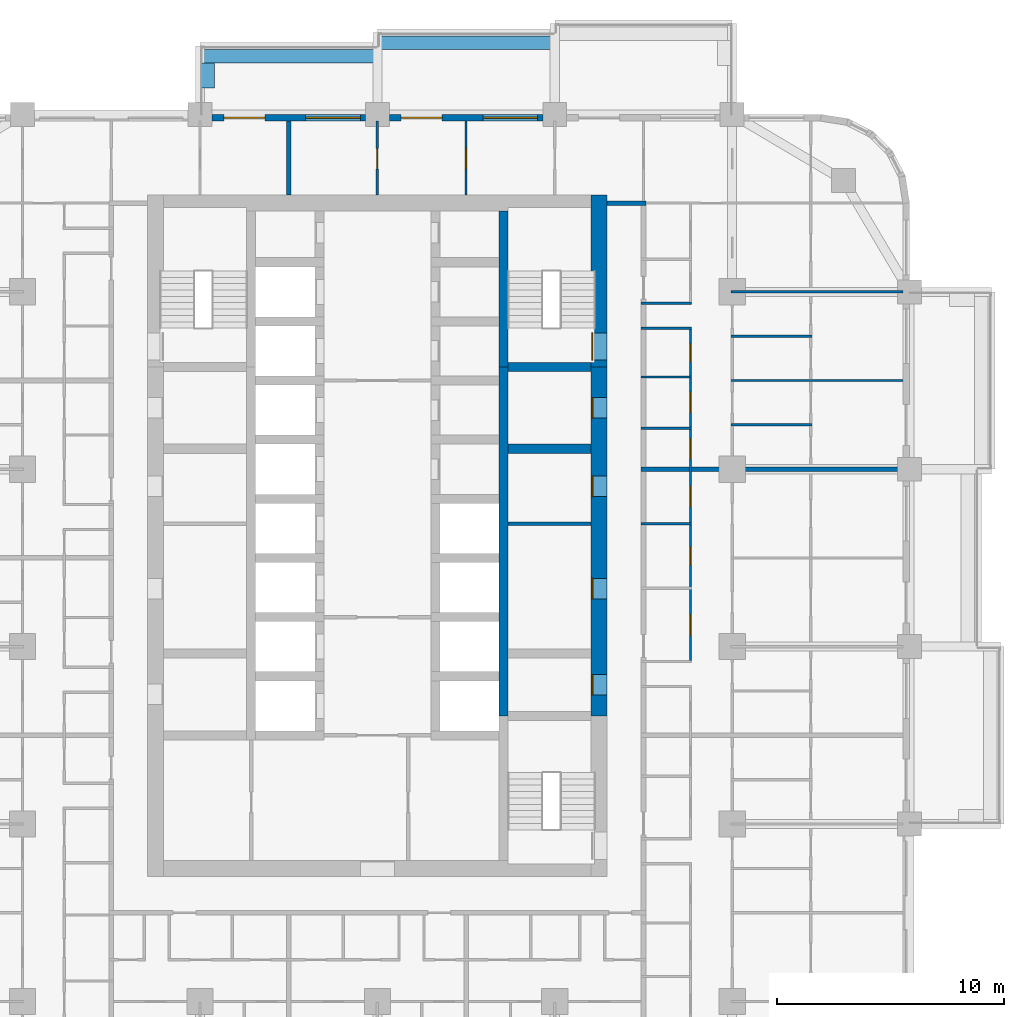
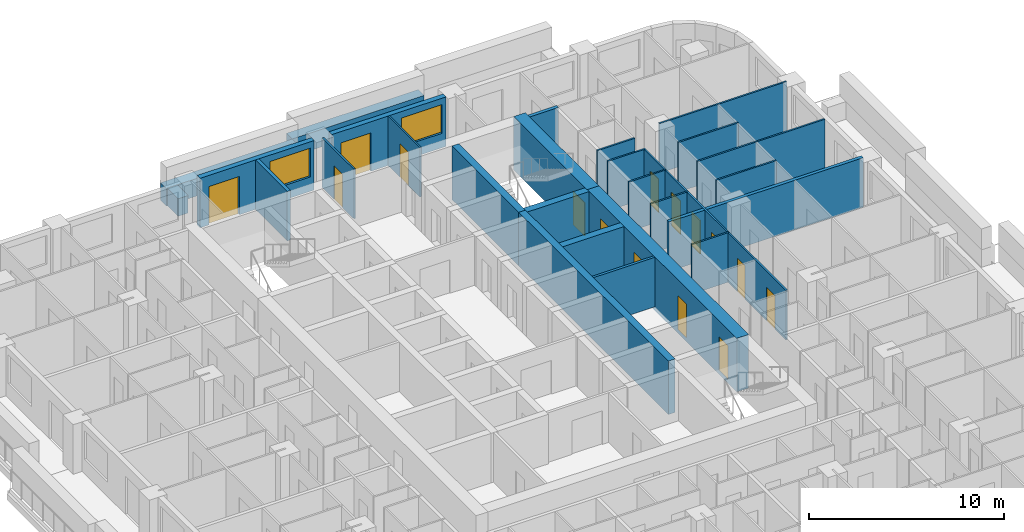
# One storey, part 12 of 17: 27 walls, 15 doors, 2 windows, 17 openings.
"""IFC4 building model written with IfcOpenShell, lengths in metres."""

from ifc_helpers import new_model, si_unit, direction, frame, frame_2d, origin, place, context, subcontext, project, spatial, rectangle, extrude, material, layer, layer_set, type_object, element, fill, save


model = new_model("IFC4")

# Units and contexts
model_context = context("Model", 3, precision=1e-05, world=origin(), true_north=direction((0.0, 1.0)))
body_context = subcontext(model_context, "Body", "Model", "MODEL_VIEW")
ifc_project = project(units=[si_unit("LENGTHUNIT", "METRE"), si_unit("AREAUNIT", "SQUARE_METRE"), si_unit("VOLUMEUNIT", "CUBIC_METRE"), si_unit("PLANEANGLEUNIT", "RADIAN"), si_unit("MASSUNIT", "GRAM", prefix="KILO")], contexts=[model_context])

# Site, building, storey
site_placement = place(None, origin())
site = spatial("IfcSite", under=ifc_project, at=site_placement, CompositionType="ELEMENT")
building_placement = place(site_placement, origin())
building = spatial("IfcBuilding", under=site, at=building_placement, Name="Ludao Terraces", CompositionType="ELEMENT")
storey_placement = place(building_placement, frame((0.0, 0.0, 43.300048828125)))
storey = spatial("IfcBuildingStorey", under=building, at=storey_placement, Name="L11", CompositionType="ELEMENT", Elevation=43.300048828125)

# Wall, openings, doors
ifc_material_1 = material(Name="Concrete C70", Category="concrete")
ifc_layer_1 = layer(ifc_material_1, 0.699951171875)
ifc_layer_set_1 = layer_set([ifc_layer_1], Name="Core wall 700 C70")
wall_type_1 = type_object("IfcWallType", Name="Core wall 700 C70", PredefinedType="SOLIDWALL", material=ifc_layer_set_1)
wall_1_placement = place(storey_placement, frame((94.75, 61.949951171875, -0.25), z_axis=(0.0, 0.0, 1.0), x_axis=(0.0, 1.0, 0.0)))
wall_1 = element("IfcWall", 1, at=wall_1_placement, inside=storey, type_object=wall_type_1, Name="Core wall L11 outer-E", PredefinedType="SOLIDWALL", context=body_context, shape_type="SweptSolid", body=[
    extrude(rectangle(XDim=15.35009765625, YDim=0.699951171875, at=frame_2d((7.675048828125, 0.0))), origin(), (0.0, 0.0, 1.0), 3.349853515625),
])
opening_1_placement = place(wall_1_placement, frame((0.925048828125, 0.0, 0.25)))
opening_1 = element("IfcOpeningElement", 2, at=opening_1_placement, cuts=wall_1, Name="Opening R03-082", PredefinedType="OPENING", context=body_context, shape_type="SweptSolid", body=[
    extrude(rectangle(XDim=0.89990234375, YDim=2.10009765625, at=frame_2d((0.449951171875, 1.050048828125))), frame((0.0, 0.35986328125, 0.0), z_axis=(0.0, -1.0, 0.0), x_axis=(1.0, 0.0, 0.0)), (0.0, 0.0, 1.0), 0.719970703125),
])
opening_2_placement = place(wall_1_placement, frame((5.14990234375, 0.0, 0.25)))
opening_2 = element("IfcOpeningElement", 3, at=opening_2_placement, cuts=wall_1, Name="Opening R03-095", PredefinedType="OPENING", context=body_context, shape_type="SweptSolid", body=[
    extrude(rectangle(XDim=0.89990234375, YDim=2.10009765625, at=frame_2d((0.449951171875, 1.050048828125))), frame((0.0, 0.35986328125, 0.0), z_axis=(0.0, -1.0, 0.0), x_axis=(1.0, 0.0, 0.0)), (0.0, 0.0, 1.0), 0.719970703125),
])
opening_3_placement = place(wall_1_placement, frame((9.64990234375, 0.0, 0.25)))
opening_3 = element("IfcOpeningElement", 4, at=opening_3_placement, cuts=wall_1, Name="Opening R03-110", PredefinedType="OPENING", context=body_context, shape_type="SweptSolid", body=[
    extrude(rectangle(XDim=0.89990234375, YDim=2.10009765625, at=frame_2d((0.449951171875, 1.050048828125))), frame((0.0, 0.35986328125, 0.0), z_axis=(0.0, -1.0, 0.0), x_axis=(1.0, 0.0, 0.0)), (0.0, 0.0, 1.0), 0.719970703125),
])
opening_4_placement = place(wall_1_placement, frame((13.10009765625, 0.0, 0.25)))
opening_4 = element("IfcOpeningElement", 5, at=opening_4_placement, cuts=wall_1, Name="Opening R03-121", PredefinedType="OPENING", context=body_context, shape_type="SweptSolid", body=[
    extrude(rectangle(XDim=0.89990234375, YDim=2.10009765625, at=frame_2d((0.449951171875, 1.050048828125))), frame((0.0, 0.35986328125, 0.0), z_axis=(0.0, -1.0, 0.0), x_axis=(1.0, 0.0, 0.0)), (0.0, 0.0, 1.0), 0.719970703125),
])
ifc_material_2 = material(Name="Steel Q235", Category="steel")
door_type_1 = type_object("IfcDoorType", Name="INT Riser door 900", OperationType="SINGLE_SWING_LEFT", PredefinedType="DOOR", material=ifc_material_2)
door_1_placement = place(opening_1_placement, origin())
door_1 = element("IfcDoor", 6, at=door_1_placement, inside=storey, type_object=door_type_1, Name="DOOR 082", OperationType="SINGLE_SWING_RIGHT", OverallHeight=2.10009765625, OverallWidth=0.89990234375, PredefinedType="DOOR", context=body_context, shape_type="SweptSolid", body=[
    extrude(rectangle(XDim=0.89990234375, YDim=2.10009765625, at=frame_2d((0.449951171875, 1.050048828125))), frame((0.0, 0.3349609375, 0.0), z_axis=(0.0, -1.0, 0.0), x_axis=(1.0, 0.0, 0.0)), (0.0, 0.0, 1.0), 0.050048828125),
])
fill(opening_1, door_1)
door_2_placement = place(opening_4_placement, origin())
door_2 = element("IfcDoor", 7, at=door_2_placement, inside=storey, type_object=door_type_1, Name="DOOR 121", OperationType="SINGLE_SWING_LEFT", OverallHeight=2.10009765625, OverallWidth=0.89990234375, PredefinedType="DOOR", context=body_context, shape_type="SweptSolid", body=[
    extrude(rectangle(XDim=0.89990234375, YDim=2.10009765625, at=frame_2d((0.449951171875, 1.050048828125))), frame((0.0, 0.3349609375, 0.0), z_axis=(0.0, -1.0, 0.0), x_axis=(1.0, 0.0, 0.0)), (0.0, 0.0, 1.0), 0.050048828125),
])
fill(opening_4, door_2)
ifc_material_3 = material(Name="Timber door leaf", Category="wood")
door_type_2 = type_object("IfcDoorType", Name="INT Room door 900", OperationType="SINGLE_SWING_LEFT", PredefinedType="DOOR", material=ifc_material_3)
door_3_placement = place(opening_2_placement, origin())
door_3 = element("IfcDoor", 8, at=door_3_placement, inside=storey, type_object=door_type_2, Name="DOOR 095", OperationType="SINGLE_SWING_LEFT", OverallHeight=2.10009765625, OverallWidth=0.89990234375, PredefinedType="DOOR", context=body_context, shape_type="SweptSolid", body=[
    extrude(rectangle(XDim=0.89990234375, YDim=2.10009765625, at=frame_2d((0.449951171875, 1.050048828125))), frame((0.0, 0.3349609375, 0.0), z_axis=(0.0, -1.0, 0.0), x_axis=(1.0, 0.0, 0.0)), (0.0, 0.0, 1.0), 0.050048828125),
])
fill(opening_2, door_3)
door_4_placement = place(opening_3_placement, origin())
door_4 = element("IfcDoor", 9, at=door_4_placement, inside=storey, type_object=door_type_2, Name="DOOR 110", OperationType="SINGLE_SWING_RIGHT", OverallHeight=2.10009765625, OverallWidth=0.89990234375, PredefinedType="DOOR", context=body_context, shape_type="SweptSolid", body=[
    extrude(rectangle(XDim=0.89990234375, YDim=2.10009765625, at=frame_2d((0.449951171875, 1.050048828125))), frame((0.0, 0.3349609375, 0.0), z_axis=(0.0, -1.0, 0.0), x_axis=(1.0, 0.0, 0.0)), (0.0, 0.0, 1.0), 0.050048828125),
])
fill(opening_3, door_4)

# Wall, opening, door
wall_2_placement = place(storey_placement, frame((94.75, 77.300048828125, -0.25), z_axis=(0.0, 0.0, 1.0), x_axis=(0.0, 1.0, 0.0)))
wall_2 = element("IfcWall", 10, at=wall_2_placement, inside=storey, type_object=wall_type_1, Name="Core wall L11 outer-E-S2", PredefinedType="SOLIDWALL", context=body_context, shape_type="SweptSolid", body=[
    extrude(rectangle(XDim=7.550048828125, YDim=0.699951171875, at=frame_2d((3.77490234375, 0.0))), origin(), (0.0, 0.0, 1.0), 3.349853515625),
])
opening_5_placement = place(wall_2_placement, frame((0.300048828125, 0.0, 0.25)))
opening_5 = element("IfcOpeningElement", 11, at=opening_5_placement, cuts=wall_2, Name="Opening R03-134", PredefinedType="OPENING", context=body_context, shape_type="SweptSolid", body=[
    extrude(rectangle(XDim=1.199951171875, YDim=2.10009765625, at=frame_2d((0.60009765625, 1.050048828125))), frame((0.0, 0.35986328125, 0.0), z_axis=(0.0, -1.0, 0.0), x_axis=(1.0, 0.0, 0.0)), (0.0, 0.0, 1.0), 0.719970703125),
])
door_type_3 = type_object("IfcDoorType", Name="INT Stair door 1200", OperationType="DOUBLE_DOOR_SINGLE_SWING", PredefinedType="DOOR", material=ifc_material_2)
door_5_placement = place(opening_5_placement, origin())
door_5 = element("IfcDoor", 12, at=door_5_placement, inside=storey, type_object=door_type_3, Name="DOOR 134", OperationType="DOUBLE_DOOR_SINGLE_SWING", OverallHeight=2.10009765625, OverallWidth=1.199951171875, PredefinedType="DOOR", context=body_context, shape_type="SweptSolid", body=[
    extrude(rectangle(XDim=1.199951171875, YDim=2.10009765625, at=frame_2d((0.60009765625, 1.050048828125))), frame((0.0, 0.3349609375, 0.0), z_axis=(0.0, -1.0, 0.0), x_axis=(1.0, 0.0, 0.0)), (0.0, 0.0, 1.0), 0.050048828125),
])
fill(opening_5, door_5)

# Walls
ifc_material_4 = material(Name="Concrete C40", Category="concrete")
ifc_layer_2 = layer(ifc_material_4, 0.60009765625)
ifc_layer_set_2 = layer_set([ifc_layer_2], Name="ENV Planter trough 600")
wall_type_2 = type_object("IfcWallType", Name="ENV Planter trough 600", PredefinedType="USERDEFINED", material=ifc_layer_set_2)
wall_3_placement = place(storey_placement, frame((77.199951171875, 90.949951171875, 0.0), z_axis=(0.0, 0.0, 1.0), x_axis=(1.0, 0.0, 0.0)))
element("IfcWall", 13, at=wall_3_placement, inside=storey, type_object=wall_type_2, Name="PL-L11-N2", ObjectType="PLANTER", PredefinedType="USERDEFINED", context=body_context, shape_type="SweptSolid", body=[
    extrude(rectangle(XDim=7.800048828125, YDim=0.60009765625, at=frame_2d((3.89990234375, 0.0))), origin(), (0.0, 0.0, 1.0), 1.099853515625),
])
wall_4_placement = place(storey_placement, frame((77.550048828125, 90.64990234375, 0.0), z_axis=(0.0, 0.0, 1.0), x_axis=(0.0, -1.0, 0.0)))
element("IfcWall", 14, at=wall_4_placement, inside=storey, type_object=wall_type_2, Name="PL-L11-N2-SA", ObjectType="PLANTER", PredefinedType="USERDEFINED", context=body_context, shape_type="SweptSolid", body=[
    extrude(rectangle(XDim=1.099853515625, YDim=0.60009765625, at=frame_2d((0.5498046875, 0.0))), origin(), (0.0, 0.0, 1.0), 1.099853515625),
])
wall_5_placement = place(storey_placement, frame((85.0, 91.550048828125, 0.0), z_axis=(0.0, 0.0, 1.0), x_axis=(1.0, 0.0, 0.0)))
element("IfcWall", 15, at=wall_5_placement, inside=storey, type_object=wall_type_2, Name="PL-L11-N3", ObjectType="PLANTER", PredefinedType="USERDEFINED", context=body_context, shape_type="SweptSolid", body=[
    extrude(rectangle(XDim=7.800048828125, YDim=0.60009765625, at=frame_2d((3.89990234375, 0.0))), origin(), (0.0, 0.0, 1.0), 1.099853515625),
])

# Wall, openings, door, window
ifc_material_5 = material(Name="Granite cladding", Category="masonry")
ifc_layer_3 = layer(ifc_material_5, 0.0400390625, Category="stone")
ifc_material_6 = material(Name="Mineral wool")
ifc_layer_4 = layer(ifc_material_6, 0.06005859375)
ifc_layer_5 = layer(ifc_material_4, 0.199951171875, Category="concrete")
ifc_layer_set_3 = layer_set([ifc_layer_3, ifc_layer_4, ifc_layer_5], Name="ENV Stone-clad wall 300")
wall_type_3 = type_object("IfcWallType", Name="ENV Stone-clad wall 300", PredefinedType="SOLIDWALL", material=ifc_layer_set_3)
wall_6_placement = place(storey_placement, frame((77.72509765625, 88.25, 0.0), z_axis=(0.0, 0.0, 1.0), x_axis=(1.0, 0.0, 0.0)))
wall_6 = element("IfcWall", 16, at=wall_6_placement, inside=storey, type_object=wall_type_3, Name="EW-L11-N3", PredefinedType="SOLIDWALL", context=body_context, shape_type="SweptSolid", body=[
    extrude(rectangle(XDim=6.75, YDim=0.300048828125, at=frame_2d((3.375, 0.0))), origin(), (0.0, 0.0, 1.0), 3.099853515625),
])
opening_6_placement = place(wall_6_placement, frame((0.52490234375, 0.0, 0.0)))
opening_6 = element("IfcOpeningElement", 17, at=opening_6_placement, cuts=wall_6, Name="Opening BD", PredefinedType="OPENING", context=body_context, shape_type="SweptSolid", body=[
    extrude(rectangle(XDim=1.800048828125, YDim=2.39990234375, at=frame_2d((0.89990234375, 1.199951171875))), frame((0.0, 0.16015625, 0.0), z_axis=(0.0, -1.0, 0.0), x_axis=(1.0, 0.0, 0.0)), (0.0, 0.0, 1.0), 0.320068359375),
])
opening_7_placement = place(wall_6_placement, frame((4.125, 0.0, 0.89990234375)))
opening_7 = element("IfcOpeningElement", 18, at=opening_7_placement, cuts=wall_6, Name="Opening W1", PredefinedType="OPENING", context=body_context, shape_type="SweptSolid", body=[
    extrude(rectangle(XDim=2.39990234375, YDim=1.800048828125, at=frame_2d((1.199951171875, 0.89990234375))), frame((0.0, 0.16015625, 0.0), z_axis=(0.0, -1.0, 0.0), x_axis=(1.0, 0.0, 0.0)), (0.0, 0.0, 1.0), 0.320068359375),
])
ifc_material_7 = material(Name="Aluminium glazed door", Category="aluminium")
ifc_layer_6 = layer(ifc_material_7, 0.06005859375)
ifc_layer_set_4 = layer_set([ifc_layer_6], Name="ENV Balcony door BD 1800x2400")
door_type_4 = type_object("IfcDoorType", Name="ENV Balcony door BD 1800x2400", OperationType="DOUBLE_DOOR_SINGLE_SWING", PredefinedType="DOOR", material=ifc_layer_set_4)
door_6_placement = place(opening_6_placement, origin())
door_6 = element("IfcDoor", 19, at=door_6_placement, inside=storey, type_object=door_type_4, Name="BD-L11-N3-1", OperationType="DOUBLE_DOOR_SINGLE_SWING", OverallHeight=2.39990234375, OverallWidth=1.800048828125, PredefinedType="DOOR", context=body_context, shape_type="SweptSolid", body=[
    extrude(rectangle(XDim=1.800048828125, YDim=2.39990234375, at=frame_2d((0.89990234375, 1.199951171875))), frame((0.0, 0.02490234375, 0.0), z_axis=(0.0, -1.0, 0.0), x_axis=(1.0, 0.0, 0.0)), (0.0, 0.0, 1.0), 0.050048828125),
])
fill(opening_6, door_6)
ifc_material_8 = material(Name="Clear glass in aluminium frame", Category="aluminium")
ifc_layer_7 = layer(ifc_material_8, 0.06005859375)
ifc_layer_set_5 = layer_set([ifc_layer_7], Name="ENV Window W1 2400x1800")
window_type = type_object("IfcWindowType", Name="ENV Window W1 2400x1800", PartitioningType="DOUBLE_PANEL_VERTICAL", PredefinedType="WINDOW", material=ifc_layer_set_5)
window_1_placement = place(opening_7_placement, origin())
window_1 = element("IfcWindow", 20, at=window_1_placement, inside=storey, type_object=window_type, Name="W-L11-N3-2", OverallHeight=1.800048828125, OverallWidth=2.39990234375, PartitioningType="DOUBLE_PANEL_VERTICAL", PredefinedType="WINDOW", context=body_context, shape_type="SweptSolid", body=[
    extrude(rectangle(XDim=2.39990234375, YDim=1.800048828125, at=frame_2d((1.199951171875, 0.89990234375))), frame((0.0, 0.030029296875, 0.0), z_axis=(0.0, -1.0, 0.0), x_axis=(1.0, 0.0, 0.0)), (0.0, 0.0, 1.0), 0.06005859375),
])
fill(opening_7, window_1)

wall_7_placement = place(storey_placement, frame((85.52490234375, 88.25, 0.0), z_axis=(0.0, 0.0, 1.0), x_axis=(1.0, 0.0, 0.0)))
wall_7 = element("IfcWall", 21, at=wall_7_placement, inside=storey, type_object=wall_type_3, Name="EW-L11-N4", PredefinedType="SOLIDWALL", context=body_context, shape_type="SweptSolid", body=[
    extrude(rectangle(XDim=6.75, YDim=0.300048828125, at=frame_2d((3.375, 0.0))), origin(), (0.0, 0.0, 1.0), 3.099853515625),
])
opening_8_placement = place(wall_7_placement, frame((0.52490234375, 0.0, 0.0)))
opening_8 = element("IfcOpeningElement", 22, at=opening_8_placement, cuts=wall_7, Name="Opening BD", PredefinedType="OPENING", context=body_context, shape_type="SweptSolid", body=[
    extrude(rectangle(XDim=1.800048828125, YDim=2.39990234375, at=frame_2d((0.89990234375, 1.199951171875))), frame((0.0, 0.16015625, 0.0), z_axis=(0.0, -1.0, 0.0), x_axis=(1.0, 0.0, 0.0)), (0.0, 0.0, 1.0), 0.320068359375),
])
opening_9_placement = place(wall_7_placement, frame((4.125, 0.0, 0.89990234375)))
opening_9 = element("IfcOpeningElement", 23, at=opening_9_placement, cuts=wall_7, Name="Opening W1", PredefinedType="OPENING", context=body_context, shape_type="SweptSolid", body=[
    extrude(rectangle(XDim=2.39990234375, YDim=1.800048828125, at=frame_2d((1.199951171875, 0.89990234375))), frame((0.0, 0.16015625, 0.0), z_axis=(0.0, -1.0, 0.0), x_axis=(1.0, 0.0, 0.0)), (0.0, 0.0, 1.0), 0.320068359375),
])
door_7_placement = place(opening_8_placement, origin())
door_7 = element("IfcDoor", 24, at=door_7_placement, inside=storey, type_object=door_type_4, Name="BD-L11-N4-1", OperationType="DOUBLE_DOOR_SINGLE_SWING", OverallHeight=2.39990234375, OverallWidth=1.800048828125, PredefinedType="DOOR", context=body_context, shape_type="SweptSolid", body=[
    extrude(rectangle(XDim=1.800048828125, YDim=2.39990234375, at=frame_2d((0.89990234375, 1.199951171875))), frame((0.0, 0.02490234375, 0.0), z_axis=(0.0, -1.0, 0.0), x_axis=(1.0, 0.0, 0.0)), (0.0, 0.0, 1.0), 0.050048828125),
])
fill(opening_8, door_7)
window_2_placement = place(opening_9_placement, origin())
window_2 = element("IfcWindow", 25, at=window_2_placement, inside=storey, type_object=window_type, Name="W-L11-N4-2", OverallHeight=1.800048828125, OverallWidth=2.39990234375, PartitioningType="DOUBLE_PANEL_VERTICAL", PredefinedType="WINDOW", context=body_context, shape_type="SweptSolid", body=[
    extrude(rectangle(XDim=2.39990234375, YDim=1.800048828125, at=frame_2d((1.199951171875, 0.89990234375))), frame((0.0, 0.030029296875, 0.0), z_axis=(0.0, -1.0, 0.0), x_axis=(1.0, 0.0, 0.0)), (0.0, 0.0, 1.0), 0.06005859375),
])
fill(opening_9, window_2)

# Walls
ifc_material_9 = material(Name="Fire-rated gypsum plasterboard", Category="gypsum")
ifc_layer_8 = layer(ifc_material_9, 0.012451171875, Category="gypsum")
ifc_layer_9 = layer(ifc_material_6, 0.10009765625, Name="insulation")
ifc_layer_10 = layer(ifc_material_2, 0.02490234375, Name="stud")
ifc_layer_11 = layer(ifc_material_9, 0.012451171875, Category="gypsum")
ifc_layer_set_6 = layer_set([ifc_layer_8, ifc_layer_9, ifc_layer_10, ifc_layer_11], Name="INT Core partition 150")
wall_type_4 = type_object("IfcWallType", Name="INT Core partition 150", PredefinedType="PARTITIONING", material=ifc_layer_set_6)
wall_8_placement = place(storey_placement, frame((90.75, 70.39990234375, 0.0), z_axis=(0.0, 0.0, 1.0), x_axis=(1.0, 0.0, 0.0)))
element("IfcWall", 26, at=wall_8_placement, inside=storey, type_object=wall_type_4, Name="PW-L11-PW053", PredefinedType="PARTITIONING", context=body_context, shape_type="SweptSolid", body=[
    extrude(rectangle(XDim=3.650146484375, YDim=0.14990234375, at=frame_2d((1.8251953125, 0.0))), origin(), (0.0, 0.0, 1.0), 3.099853515625),
])
ifc_material_10 = material(Name="Autoclaved aerated concrete block B06 A3.5", Category="concrete")
ifc_layer_12 = layer(ifc_material_10, 0.199951171875)
ifc_layer_set_7 = layer_set([ifc_layer_12], Name="INT Entrance wall 200")
wall_type_5 = type_object("IfcWallType", Name="INT Entrance wall 200", PredefinedType="PARTITIONING", material=ifc_layer_set_7)
wall_9_placement = place(storey_placement, frame((95.10009765625, 84.5, 0.0), z_axis=(0.0, 0.0, 1.0), x_axis=(1.0, 0.0, 0.0)))
element("IfcWall", 27, at=wall_9_placement, inside=storey, type_object=wall_type_5, Name="PW-L11-PW077", PredefinedType="PARTITIONING", context=body_context, shape_type="SweptSolid", body=[
    extrude(rectangle(XDim=1.699951171875, YDim=0.199951171875, at=frame_2d((0.85009765625, 0.0))), origin(), (0.0, 0.0, 1.0), 3.099853515625),
])
ifc_material_11 = material(Name="Gypsum plasterboard", Category="gypsum")
ifc_layer_13 = layer(ifc_material_11, 0.012451171875, Category="gypsum")
ifc_layer_14 = layer(ifc_material_6, 0.06005859375, Name="insulation")
ifc_layer_15 = layer(ifc_material_2, 0.014892578125, Name="stud")
ifc_layer_16 = layer(ifc_material_11, 0.012451171875, Category="gypsum")
ifc_layer_set_8 = layer_set([ifc_layer_13, ifc_layer_14, ifc_layer_15, ifc_layer_16], Name="INT Partition 100")
wall_type_6 = type_object("IfcWallType", Name="INT Partition 100", PredefinedType="PARTITIONING", material=ifc_layer_set_8)
for number, where, z_axis, x_axis, name in (
    (28, (96.60009765625, 70.39990234375, 0.0), (0.0, 0.0, 1.0), (1.0, 0.0, 0.0), "PW-L11-PW054"),
    (29, (96.60009765625, 74.60009765625, 0.0), (0.0, 0.0, 1.0), (1.0, 0.0, 0.0), "PW-L11-PW059"),
):
    element("IfcWall", number, at=place(storey_placement, frame(where, z_axis=z_axis, x_axis=x_axis)), inside=storey, type_object=wall_type_6, Name=name, PredefinedType="PARTITIONING", context=body_context, shape_type="SweptSolid", body=[
        extrude(rectangle(XDim=2.219970703125, YDim=0.10009765625, at=frame_2d((1.10986328125, 0.0))), origin(), (0.0, 0.0, 1.0), 3.099853515625),
    ])
wall_10_placement = place(storey_placement, frame((100.550048828125, 74.75, 0.0), z_axis=(0.0, 0.0, 1.0), x_axis=(1.0, 0.0, 0.0)))
element("IfcWall", 30, at=wall_10_placement, inside=storey, type_object=wall_type_6, Name="PW-L11-PW061", PredefinedType="PARTITIONING", context=body_context, shape_type="SweptSolid", body=[
    extrude(rectangle(XDim=3.550048828125, YDim=0.10009765625, at=frame_2d((1.77490234375, 0.0))), origin(), (0.0, 0.0, 1.0), 3.099853515625),
])
wall_11_placement = place(storey_placement, frame((100.550048828125, 76.699951171875, 0.0), z_axis=(0.0, 0.0, 1.0), x_axis=(1.0, 0.0, 0.0)))
element("IfcWall", 31, at=wall_11_placement, inside=storey, type_object=wall_type_6, Name="PW-L11-PW064", PredefinedType="PARTITIONING", context=body_context, shape_type="SweptSolid", body=[
    extrude(rectangle(XDim=7.550048828125, YDim=0.10009765625, at=frame_2d((3.77490234375, 0.0))), origin(), (0.0, 0.0, 1.0), 3.099853515625),
])
wall_12_placement = place(storey_placement, frame((96.60009765625, 76.85009765625, 0.0), z_axis=(0.0, 0.0, 1.0), x_axis=(1.0, 0.0, 0.0)))
element("IfcWall", 32, at=wall_12_placement, inside=storey, type_object=wall_type_6, Name="PW-L11-PW065", PredefinedType="PARTITIONING", context=body_context, shape_type="SweptSolid", body=[
    extrude(rectangle(XDim=2.219970703125, YDim=0.10009765625, at=frame_2d((1.10986328125, 0.0))), origin(), (0.0, 0.0, 1.0), 3.099853515625),
])
wall_13_placement = place(storey_placement, frame((100.550048828125, 78.64990234375, 0.0), z_axis=(0.0, 0.0, 1.0), x_axis=(1.0, 0.0, 0.0)))
element("IfcWall", 33, at=wall_13_placement, inside=storey, type_object=wall_type_6, Name="PW-L11-PW066", PredefinedType="PARTITIONING", context=body_context, shape_type="SweptSolid", body=[
    extrude(rectangle(XDim=3.550048828125, YDim=0.10009765625, at=frame_2d((1.77490234375, 0.0))), origin(), (0.0, 0.0, 1.0), 3.099853515625),
])
for number, where, z_axis, x_axis, name in (
    (34, (96.60009765625, 79.0, 0.0), (0.0, 0.0, 1.0), (1.0, 0.0, 0.0), "PW-L11-PW067"),
    (35, (96.60009765625, 80.10009765625, 0.0), (0.0, 0.0, 1.0), (1.0, 0.0, 0.0), "PW-L11-PW069"),
):
    element("IfcWall", number, at=place(storey_placement, frame(where, z_axis=z_axis, x_axis=x_axis)), inside=storey, type_object=wall_type_6, Name=name, PredefinedType="PARTITIONING", context=body_context, shape_type="SweptSolid", body=[
        extrude(rectangle(XDim=2.219970703125, YDim=0.10009765625, at=frame_2d((1.10986328125, 0.0))), origin(), (0.0, 0.0, 1.0), 3.099853515625),
    ])
wall_14_placement = place(storey_placement, frame((100.550048828125, 80.60009765625, 0.0), z_axis=(0.0, 0.0, 1.0), x_axis=(1.0, 0.0, 0.0)))
element("IfcWall", 36, at=wall_14_placement, inside=storey, type_object=wall_type_6, Name="PW-L11-PW071", PredefinedType="PARTITIONING", context=body_context, shape_type="SweptSolid", body=[
    extrude(rectangle(XDim=7.550048828125, YDim=0.10009765625, at=frame_2d((3.77490234375, 0.0))), origin(), (0.0, 0.0, 1.0), 3.099853515625),
])

# Wall, opening, door
wall_15_placement = place(storey_placement, frame((85.0, 84.85009765625, 0.0), z_axis=(0.0, 0.0, 1.0), x_axis=(0.0, 1.0, 0.0)))
wall_15 = element("IfcWall", 37, at=wall_15_placement, inside=storey, type_object=wall_type_6, Name="PW-L11-PW103", PredefinedType="PARTITIONING", context=body_context, shape_type="SweptSolid", body=[
    extrude(rectangle(XDim=3.25, YDim=0.10009765625, at=frame_2d((1.625, 0.0))), origin(), (0.0, 0.0, 1.0), 3.099853515625),
])
opening_10_placement = place(wall_15_placement, frame((1.14990234375, 0.0, 0.0)))
opening_10 = element("IfcOpeningElement", 38, at=opening_10_placement, cuts=wall_15, Name="Opening R03-159", PredefinedType="OPENING", context=body_context, shape_type="SweptSolid", body=[
    extrude(rectangle(XDim=0.89990234375, YDim=2.10009765625, at=frame_2d((0.449951171875, 1.050048828125))), frame((0.0, 0.06005859375, 0.0), z_axis=(0.0, -1.0, 0.0), x_axis=(1.0, 0.0, 0.0)), (0.0, 0.0, 1.0), 0.1201171875),
])
door_8_placement = place(opening_10_placement, origin())
door_8 = element("IfcDoor", 39, at=door_8_placement, inside=storey, type_object=door_type_2, Name="DOOR 159", OperationType="SINGLE_SWING_LEFT", OverallHeight=2.10009765625, OverallWidth=0.89990234375, PredefinedType="DOOR", context=body_context, shape_type="SweptSolid", body=[
    extrude(rectangle(XDim=0.89990234375, YDim=2.10009765625, at=frame_2d((0.449951171875, 1.050048828125))), frame((0.0, 0.02490234375, 0.0), z_axis=(0.0, -1.0, 0.0), x_axis=(1.0, 0.0, 0.0)), (0.0, 0.0, 1.0), 0.050048828125),
])
fill(opening_10, door_8)

wall_16_placement = place(storey_placement, frame((88.89990234375, 84.85009765625, 0.0), z_axis=(0.0, 0.0, 1.0), x_axis=(0.0, 1.0, 0.0)))
wall_16 = element("IfcWall", 40, at=wall_16_placement, inside=storey, type_object=wall_type_6, Name="PW-L11-PW109", PredefinedType="PARTITIONING", context=body_context, shape_type="SweptSolid", body=[
    extrude(rectangle(XDim=3.25, YDim=0.10009765625, at=frame_2d((1.625, 0.0))), origin(), (0.0, 0.0, 1.0), 3.099853515625),
])
opening_11_placement = place(wall_16_placement, frame((1.14990234375, 0.0, 0.0)))
opening_11 = element("IfcOpeningElement", 41, at=opening_11_placement, cuts=wall_16, Name="Opening R03-160", PredefinedType="OPENING", context=body_context, shape_type="SweptSolid", body=[
    extrude(rectangle(XDim=0.89990234375, YDim=2.10009765625, at=frame_2d((0.449951171875, 1.050048828125))), frame((0.0, 0.06005859375, 0.0), z_axis=(0.0, -1.0, 0.0), x_axis=(1.0, 0.0, 0.0)), (0.0, 0.0, 1.0), 0.1201171875),
])
door_9_placement = place(opening_11_placement, origin())
door_9 = element("IfcDoor", 42, at=door_9_placement, inside=storey, type_object=door_type_2, Name="DOOR 160", OperationType="SINGLE_SWING_RIGHT", OverallHeight=2.10009765625, OverallWidth=0.89990234375, PredefinedType="DOOR", context=body_context, shape_type="SweptSolid", body=[
    extrude(rectangle(XDim=0.89990234375, YDim=2.10009765625, at=frame_2d((0.449951171875, 1.050048828125))), frame((0.0, 0.02490234375, 0.0), z_axis=(0.0, -1.0, 0.0), x_axis=(1.0, 0.0, 0.0)), (0.0, 0.0, 1.0), 0.050048828125),
])
fill(opening_11, door_9)

# Wall, openings, doors
wall_17_placement = place(storey_placement, frame((98.77001953125, 64.400146484375, 0.0), z_axis=(0.0, 0.0, 1.0), x_axis=(0.0, 1.0, 0.0)))
wall_17 = element("IfcWall", 43, at=wall_17_placement, inside=storey, type_object=wall_type_6, Name="PW-L11-PW121", PredefinedType="PARTITIONING", context=body_context, shape_type="SweptSolid", body=[
    extrude(rectangle(XDim=14.550048828125, YDim=0.10009765625, at=frame_2d((7.27490234375, 0.0))), origin(), (0.0, 0.0, 1.0), 3.099853515625),
])
opening_12_placement = place(wall_17_placement, frame((1.110107421875, 0.0, 0.0)))
opening_12 = element("IfcOpeningElement", 44, at=opening_12_placement, cuts=wall_17, Name="Opening R03-089", PredefinedType="OPENING", context=body_context, shape_type="SweptSolid", body=[
    extrude(rectangle(XDim=0.89990234375, YDim=2.10009765625, at=frame_2d((0.449951171875, 1.050048828125))), frame((0.0, 0.06005859375, 0.0), z_axis=(0.0, -1.0, 0.0), x_axis=(1.0, 0.0, 0.0)), (0.0, 0.0, 1.0), 0.1201171875),
])
opening_13_placement = place(wall_17_placement, frame((4.18505859375, 0.0, 0.0)))
opening_13 = element("IfcOpeningElement", 45, at=opening_13_placement, cuts=wall_17, Name="Opening R03-100", PredefinedType="OPENING", context=body_context, shape_type="SweptSolid", body=[
    extrude(rectangle(XDim=0.800048828125, YDim=2.10009765625, at=frame_2d((0.39990234375, 1.050048828125))), frame((0.0, 0.06005859375, 0.0), z_axis=(0.0, -1.0, 0.0), x_axis=(1.0, 0.0, 0.0)), (0.0, 0.0, 1.0), 0.1201171875),
])
opening_14_placement = place(wall_17_placement, frame((6.75, 0.0, 0.0)))
opening_14 = element("IfcOpeningElement", 46, at=opening_14_placement, cuts=wall_17, Name="Opening R03-107", PredefinedType="OPENING", context=body_context, shape_type="SweptSolid", body=[
    extrude(rectangle(XDim=0.89990234375, YDim=2.10009765625, at=frame_2d((0.449951171875, 1.050048828125))), frame((0.0, 0.06005859375, 0.0), z_axis=(0.0, -1.0, 0.0), x_axis=(1.0, 0.0, 0.0)), (0.0, 0.0, 1.0), 0.1201171875),
])
opening_15_placement = place(wall_17_placement, frame((8.85009765625, 0.0, 0.0)))
opening_15 = element("IfcOpeningElement", 47, at=opening_15_placement, cuts=wall_17, Name="Opening R03-114", PredefinedType="OPENING", context=body_context, shape_type="SweptSolid", body=[
    extrude(rectangle(XDim=0.89990234375, YDim=2.10009765625, at=frame_2d((0.449951171875, 1.050048828125))), frame((0.0, 0.06005859375, 0.0), z_axis=(0.0, -1.0, 0.0), x_axis=(1.0, 0.0, 0.0)), (0.0, 0.0, 1.0), 0.1201171875),
])
opening_16_placement = place(wall_17_placement, frame((10.875, 0.0, 0.0)))
opening_16 = element("IfcOpeningElement", 48, at=opening_16_placement, cuts=wall_17, Name="Opening R03-124", PredefinedType="OPENING", context=body_context, shape_type="SweptSolid", body=[
    extrude(rectangle(XDim=0.89990234375, YDim=2.10009765625, at=frame_2d((0.449951171875, 1.050048828125))), frame((0.0, 0.06005859375, 0.0), z_axis=(0.0, -1.0, 0.0), x_axis=(1.0, 0.0, 0.0)), (0.0, 0.0, 1.0), 0.1201171875),
])
opening_17_placement = place(wall_17_placement, frame((13.125, 0.0, 0.0)))
opening_17 = element("IfcOpeningElement", 49, at=opening_17_placement, cuts=wall_17, Name="Opening R03-130", PredefinedType="OPENING", context=body_context, shape_type="SweptSolid", body=[
    extrude(rectangle(XDim=0.800048828125, YDim=2.10009765625, at=frame_2d((0.39990234375, 1.050048828125))), frame((0.0, 0.06005859375, 0.0), z_axis=(0.0, -1.0, 0.0), x_axis=(1.0, 0.0, 0.0)), (0.0, 0.0, 1.0), 0.1201171875),
])
door_type_5 = type_object("IfcDoorType", Name="INT Bathroom door 900", OperationType="SINGLE_SWING_LEFT", PredefinedType="DOOR", material=ifc_material_3)
door_10_placement = place(opening_14_placement, origin())
door_10 = element("IfcDoor", 50, at=door_10_placement, inside=storey, type_object=door_type_5, Name="DOOR 107", OperationType="SINGLE_SWING_LEFT", OverallHeight=2.10009765625, OverallWidth=0.89990234375, PredefinedType="DOOR", context=body_context, shape_type="SweptSolid", body=[
    extrude(rectangle(XDim=0.89990234375, YDim=2.10009765625, at=frame_2d((0.449951171875, 1.050048828125))), frame((0.0, 0.02490234375, 0.0), z_axis=(0.0, -1.0, 0.0), x_axis=(1.0, 0.0, 0.0)), (0.0, 0.0, 1.0), 0.050048828125),
])
fill(opening_14, door_10)
door_11_placement = place(opening_15_placement, origin())
door_11 = element("IfcDoor", 51, at=door_11_placement, inside=storey, type_object=door_type_5, Name="DOOR 114", OperationType="SINGLE_SWING_LEFT", OverallHeight=2.10009765625, OverallWidth=0.89990234375, PredefinedType="DOOR", context=body_context, shape_type="SweptSolid", body=[
    extrude(rectangle(XDim=0.89990234375, YDim=2.10009765625, at=frame_2d((0.449951171875, 1.050048828125))), frame((0.0, 0.02490234375, 0.0), z_axis=(0.0, -1.0, 0.0), x_axis=(1.0, 0.0, 0.0)), (0.0, 0.0, 1.0), 0.050048828125),
])
fill(opening_15, door_11)
door_12_placement = place(opening_16_placement, origin())
door_12 = element("IfcDoor", 52, at=door_12_placement, inside=storey, type_object=door_type_5, Name="DOOR 124", OperationType="SINGLE_SWING_RIGHT", OverallHeight=2.10009765625, OverallWidth=0.89990234375, PredefinedType="DOOR", context=body_context, shape_type="SweptSolid", body=[
    extrude(rectangle(XDim=0.89990234375, YDim=2.10009765625, at=frame_2d((0.449951171875, 1.050048828125))), frame((0.0, 0.02490234375, 0.0), z_axis=(0.0, -1.0, 0.0), x_axis=(1.0, 0.0, 0.0)), (0.0, 0.0, 1.0), 0.050048828125),
])
fill(opening_16, door_12)
door_13_placement = place(opening_12_placement, origin())
door_13 = element("IfcDoor", 53, at=door_13_placement, inside=storey, type_object=door_type_2, Name="DOOR 089", OperationType="SINGLE_SWING_LEFT", OverallHeight=2.10009765625, OverallWidth=0.89990234375, PredefinedType="DOOR", context=body_context, shape_type="SweptSolid", body=[
    extrude(rectangle(XDim=0.89990234375, YDim=2.10009765625, at=frame_2d((0.449951171875, 1.050048828125))), frame((0.0, 0.02490234375, 0.0), z_axis=(0.0, -1.0, 0.0), x_axis=(1.0, 0.0, 0.0)), (0.0, 0.0, 1.0), 0.050048828125),
])
fill(opening_12, door_13)
door_type_6 = type_object("IfcDoorType", Name="INT Store door 800", OperationType="SINGLE_SWING_LEFT", PredefinedType="DOOR", material=ifc_material_3)
door_14_placement = place(opening_13_placement, origin())
door_14 = element("IfcDoor", 54, at=door_14_placement, inside=storey, type_object=door_type_6, Name="DOOR 100", OperationType="SINGLE_SWING_LEFT", OverallHeight=2.10009765625, OverallWidth=0.800048828125, PredefinedType="DOOR", context=body_context, shape_type="SweptSolid", body=[
    extrude(rectangle(XDim=0.800048828125, YDim=2.10009765625, at=frame_2d((0.39990234375, 1.050048828125))), frame((0.0, 0.02490234375, 0.0), z_axis=(0.0, -1.0, 0.0), x_axis=(1.0, 0.0, 0.0)), (0.0, 0.0, 1.0), 0.050048828125),
])
fill(opening_13, door_14)
door_15_placement = place(opening_17_placement, origin())
door_15 = element("IfcDoor", 55, at=door_15_placement, inside=storey, type_object=door_type_6, Name="DOOR 130", OperationType="SINGLE_SWING_LEFT", OverallHeight=2.10009765625, OverallWidth=0.800048828125, PredefinedType="DOOR", context=body_context, shape_type="SweptSolid", body=[
    extrude(rectangle(XDim=0.800048828125, YDim=2.10009765625, at=frame_2d((0.39990234375, 1.050048828125))), frame((0.0, 0.02490234375, 0.0), z_axis=(0.0, -1.0, 0.0), x_axis=(1.0, 0.0, 0.0)), (0.0, 0.0, 1.0), 0.050048828125),
])
fill(opening_17, door_15)

# Walls
ifc_layer_17 = layer(ifc_material_10, 0.199951171875)
ifc_layer_set_9 = layer_set([ifc_layer_17], Name="INT Party wall 200")
wall_type_7 = type_object("IfcWallType", Name="INT Party wall 200", PredefinedType="PARTITIONING", material=ifc_layer_set_9)
wall_18_placement = place(storey_placement, frame((96.60009765625, 72.800048828125, 0.0), z_axis=(0.0, 0.0, 1.0), x_axis=(1.0, 0.0, 0.0)))
element("IfcWall", 56, at=wall_18_placement, inside=storey, type_object=wall_type_7, Name="PW-L11-PW057", PredefinedType="PARTITIONING", context=body_context, shape_type="SweptSolid", body=[
    extrude(rectangle(XDim=11.5, YDim=0.199951171875, at=frame_2d((5.75, 0.0))), origin(), (0.0, 0.0, 1.0), 3.099853515625),
])
wall_19_placement = place(storey_placement, frame((81.10009765625, 84.85009765625, 0.0), z_axis=(0.0, 0.0, 1.0), x_axis=(0.0, 1.0, 0.0)))
element("IfcWall", 57, at=wall_19_placement, inside=storey, type_object=wall_type_7, Name="PW-L11-PW100", PredefinedType="PARTITIONING", context=body_context, shape_type="SweptSolid", body=[
    extrude(rectangle(XDim=3.25, YDim=0.199951171875, at=frame_2d((1.625, 0.0))), origin(), (0.0, 0.0, 1.0), 3.099853515625),
])
ifc_material_12 = material(Name="Concrete C60", Category="concrete")
ifc_layer_18 = layer(ifc_material_12, 0.39990234375)
ifc_layer_set_10 = layer_set([ifc_layer_18], Name="Shaft wall 400 C60")
wall_type_8 = type_object("IfcWallType", Name="Shaft wall 400 C60", PredefinedType="SOLIDWALL", material=ifc_layer_set_10)
wall_20_placement = place(storey_placement, frame((90.550048828125, 61.949951171875, -0.25), z_axis=(0.0, 0.0, 1.0), x_axis=(0.0, 1.0, 0.0)))
element("IfcWall", 58, at=wall_20_placement, inside=storey, type_object=wall_type_8, Name="Core wall L11 back-E", PredefinedType="SOLIDWALL", context=body_context, shape_type="SweptSolid", body=[
    extrude(rectangle(XDim=15.35009765625, YDim=0.39990234375, at=frame_2d((7.675048828125, 0.0))), origin(), (0.0, 0.0, 1.0), 3.349853515625),
])
wall_21_placement = place(storey_placement, frame((90.550048828125, 77.300048828125, -0.25), z_axis=(0.0, 0.0, 1.0), x_axis=(0.0, 1.0, 0.0)))
element("IfcWall", 59, at=wall_21_placement, inside=storey, type_object=wall_type_8, Name="Core wall L11 back-E-S2", PredefinedType="SOLIDWALL", context=body_context, shape_type="SweptSolid", body=[
    extrude(rectangle(XDim=6.849853515625, YDim=0.39990234375, at=frame_2d((3.4248046875, 0.0))), origin(), (0.0, 0.0, 1.0), 3.349853515625),
])
for number, where, z_axis, x_axis, name in (
    (60, (90.75, 73.699951171875, -0.25), (0.0, 0.0, 1.0), (1.0, 0.0, 0.0), "Core wall L11 riser-b-E"),
    (61, (90.75, 77.300048828125, -0.25), (0.0, 0.0, 1.0), (1.0, 0.0, 0.0), "Core wall L11 stair-E"),
):
    element("IfcWall", number, at=place(storey_placement, frame(where, z_axis=z_axis, x_axis=x_axis)), inside=storey, type_object=wall_type_8, Name=name, PredefinedType="SOLIDWALL", context=body_context, shape_type="SweptSolid", body=[
        extrude(rectangle(XDim=3.64990234375, YDim=0.39990234375, at=frame_2d((1.824951171875, 0.0))), origin(), (0.0, 0.0, 1.0), 3.349853515625),
    ])

save(model, "model.ifc")
